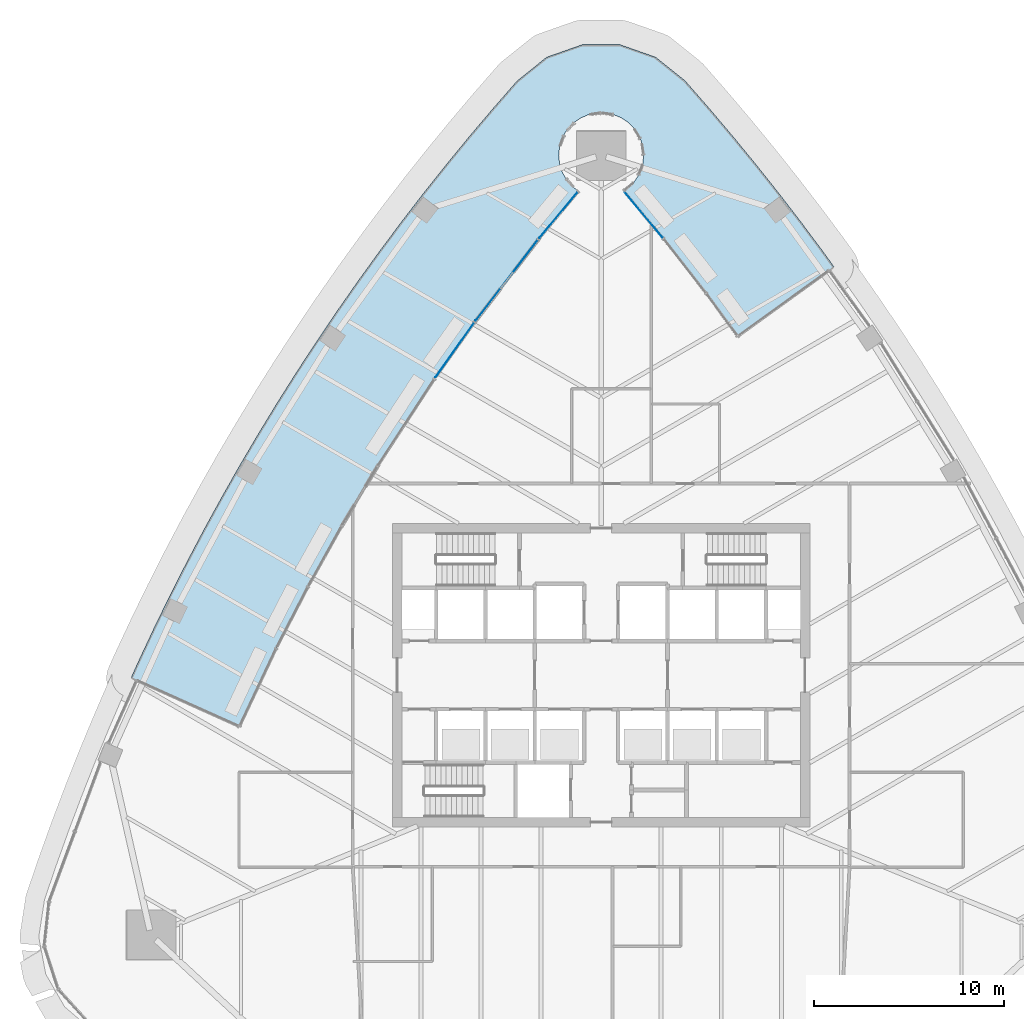
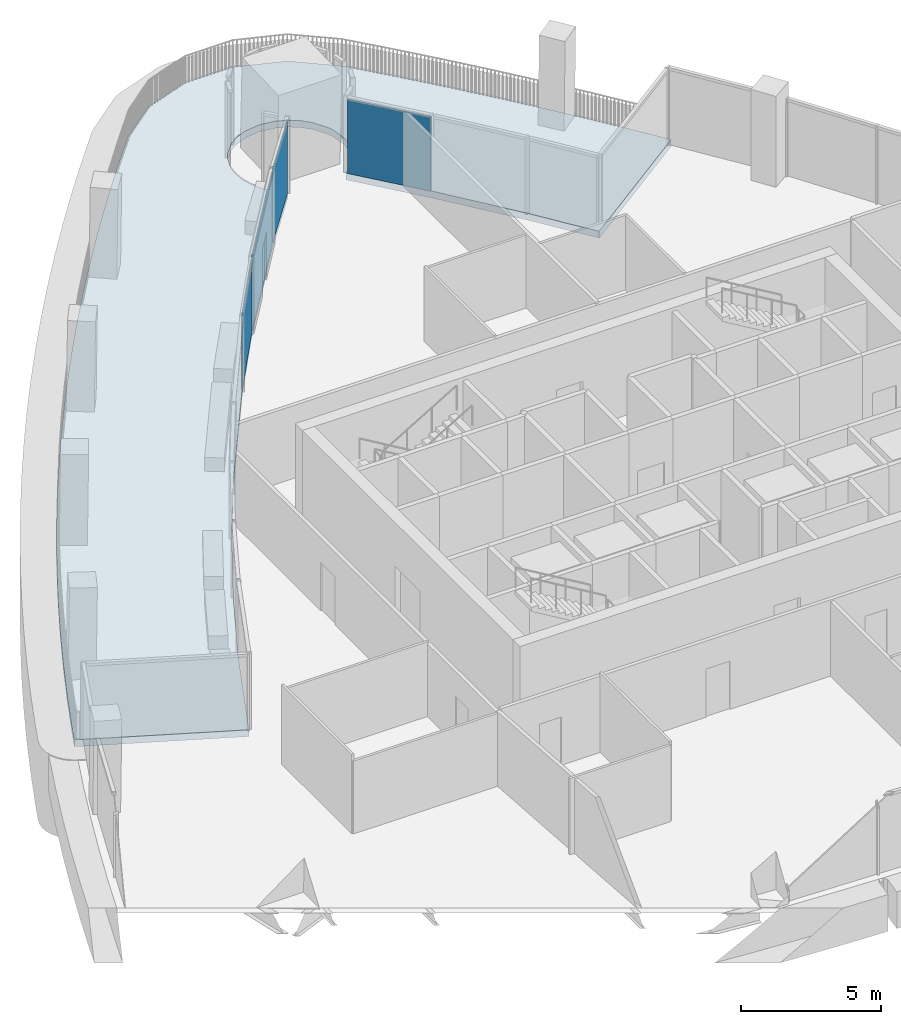
# One storey, part 9 of 19: 4 plates, 1 slab, 4 elements without a shape of their own.
"""IFC4 building model written with IfcOpenShell, lengths in metres."""

import ifcopenshell
import ifcopenshell.guid

model = None  # the IFC model being written
_history = None  # IfcOwnerHistory: only IFC2X3 demands one
_inside = {}  # id of a spatial element -> (the spatial element, [elements in it])
_under = {}  # id of a project, library or spatial element -> (it, [spatial elements below it])
_declared = {}  # id of a project -> (the project, [libraries it declares])
_typed = {}  # id of a type object -> (the type object, [elements of that type])
_made_of = {}  # id of a material, layer set ... -> (it, [elements and type objects made of it])


def new_model(schema):
    """Start an empty IFC model of exactly this schema.

    Asked for "IFC4X3", IfcOpenShell would pick the latest addendum, in which some entities
    have other attributes; the version numbers below select the first issue.
    IFC2X3 requires an IfcOwnerHistory on every rooted entity: one is made here for all.
    """
    global model, _history
    if schema == "IFC4X3":
        model = ifcopenshell.file(schema_version=(4, 3, 0, 0))
    else:
        model = ifcopenshell.file(schema=schema)
    _inside.clear()
    _under.clear()
    _declared.clear()
    _typed.clear()
    _made_of.clear()
    _history = None
    if model.schema == "IFC2X3":
        org = make("IfcOrganization", Name="unknown")
        user = make(
            "IfcPersonAndOrganization",
            ThePerson=make("IfcPerson", FamilyName="unknown"),
            TheOrganization=org,
        )
        app = make(
            "IfcApplication",
            ApplicationDeveloper=org,
            Version="unknown",
            ApplicationFullName="unknown",
            ApplicationIdentifier="unknown",
        )
        _history = make(
            "IfcOwnerHistory",
            OwningUser=user,
            OwningApplication=app,
            ChangeAction="ADDED",
            CreationDate=0,
        )
    return model


def make(cls, **values):
    """One entity of the class cls with the attributes given. An attribute that is None is left unset."""
    return model.create_entity(
        cls, **{name: value for name, value in values.items() if value is not None}
    )


def rooted(cls, **values):
    """An entity with a GlobalId (a new one), such as an element, a storey or a relation."""
    return make(cls, GlobalId=ifcopenshell.guid.new(), OwnerHistory=_history, **values)


def si_unit(unit_type, name, prefix=None):
    """IfcSIUnit, for example si_unit("LENGTHUNIT", "METRE", prefix="MILLI")."""
    return make("IfcSIUnit", UnitType=unit_type, Prefix=prefix, Name=name)


def assignment(units):
    """IfcUnitAssignment: the units of a project."""
    return None if units is None else make("IfcUnitAssignment", Units=units)


def point(xyz):
    """IfcCartesianPoint."""
    return None if xyz is None else make("IfcCartesianPoint", Coordinates=xyz)


def direction(xyz):
    """IfcDirection."""
    return None if xyz is None else make("IfcDirection", DirectionRatios=xyz)


def frame(location, z_axis=None, x_axis=None):
    """IfcAxis2Placement3D, a coordinate frame: its origin and axes. An axis left out is left unset."""
    return make(
        "IfcAxis2Placement3D",
        Location=point(location),
        Axis=direction(z_axis),
        RefDirection=direction(x_axis),
    )


def frame_2d(location, x_axis=None):
    """IfcAxis2Placement2D, a coordinate frame in the plane: its origin and x axis."""
    return make(
        "IfcAxis2Placement2D", Location=point(location), RefDirection=direction(x_axis)
    )


def origin():
    """The frame at (0, 0, 0) with its axes left unset."""
    return frame((0.0, 0.0, 0.0))


def origin_2d():
    """The frame at (0, 0) in the plane with its x axis left unset."""
    return frame_2d((0.0, 0.0))


def place(relative_to, where):
    """IfcLocalPlacement: puts the frame where relative to a parent placement (None: the world)."""
    return make(
        "IfcLocalPlacement", PlacementRelTo=relative_to, RelativePlacement=where
    )


def context(
    kind, dimensions, precision=None, world=None, true_north=None, identifier=None
):
    """IfcGeometricRepresentationContext, for example the 3D "Model" context."""
    return make(
        "IfcGeometricRepresentationContext",
        ContextIdentifier=identifier,
        ContextType=kind,
        CoordinateSpaceDimension=dimensions,
        Precision=precision,
        WorldCoordinateSystem=world,
        TrueNorth=true_north,
    )


def subcontext(parent, identifier, kind, view, scale=None):
    """IfcGeometricRepresentationSubContext, for example "Body" below "Model"."""
    return make(
        "IfcGeometricRepresentationSubContext",
        ContextIdentifier=identifier,
        ContextType=kind,
        ParentContext=parent,
        TargetScale=scale,
        TargetView=view,
    )


def project(units=None, contexts=None):
    """IfcProject with its units and contexts."""
    return rooted(
        "IfcProject",
        Name="project",
        RepresentationContexts=contexts,
        UnitsInContext=assignment(units),
    )


def spatial(cls, under=None, at=None, **own):
    """A site, building, storey or space (cls), placed at a placement, below another one or the project."""
    s = rooted(cls, ObjectPlacement=at, **own)
    if under is not None:
        _under.setdefault(under.id(), (under, []))[1].append(s)
    return s


def polyline(points):
    """IfcPolyline through the points."""
    return make("IfcPolyline", Points=[point(p) for p in points])


def profile(cls, at=None, kind="AREA", **sizes):
    """A parametric profile (cls). Its sizes go by their IFC names, for example OverallWidth=200.0."""
    return make(cls, ProfileType=kind, Position=at, **sizes)


def rectangle(**sizes):
    """IfcRectangleProfileDef."""
    return profile("IfcRectangleProfileDef", **sizes)


def outline(outer, holes=None, kind="AREA"):
    """IfcArbitraryClosedProfileDef: a profile drawn as a closed curve; with holes, ...WithVoids."""
    if holes is None:
        return make("IfcArbitraryClosedProfileDef", ProfileType=kind, OuterCurve=outer)
    return make(
        "IfcArbitraryProfileDefWithVoids",
        ProfileType=kind,
        OuterCurve=outer,
        InnerCurves=holes,
    )


def extrude(swept, where, along, depth):
    """IfcExtrudedAreaSolid: the profile swept, set in the frame where, extruded along a direction by depth."""
    return make(
        "IfcExtrudedAreaSolid",
        SweptArea=swept,
        Position=where,
        ExtrudedDirection=direction(along),
        Depth=depth,
    )


def shape(context_of_items, identifier, shape_type, items):
    """IfcShapeRepresentation: the items that make up one representation, for example the "Body"."""
    return make(
        "IfcShapeRepresentation",
        ContextOfItems=context_of_items,
        RepresentationIdentifier=identifier,
        RepresentationType=shape_type,
        Items=items,
    )


def material(Name=None, Category=None):
    """IfcMaterial."""
    return make("IfcMaterial", Name=Name, Category=Category)


def layer(
    of_material, thickness, ventilated=None, Name=None, Category=None, Priority=None
):
    """IfcMaterialLayer: one layer of a wall or slab, of a material (None: an air gap)."""
    return make(
        "IfcMaterialLayer",
        Material=of_material,
        LayerThickness=thickness,
        IsVentilated=ventilated,
        Name=Name,
        Category=Category,
        Priority=Priority,
    )


def layer_set(layers, Name=None):
    """IfcMaterialLayerSet."""
    return make("IfcMaterialLayerSet", MaterialLayers=layers, LayerSetName=Name)


def made_of(thing, what):
    """Note that an element or type object is made of a material, layer set ...; save() writes the relation."""
    if what is not None:
        _made_of.setdefault(what.id(), (what, []))[1].append(thing)
    return thing


def type_object(cls, material=None, **own):
    """A type object (cls), such as IfcWallType, which elements share."""
    return made_of(rooted(cls, **own), material)


def element(
    cls,
    number,
    at=None,
    inside=None,
    cuts=None,
    type_object=None,
    material=None,
    context=None,
    identifier="Body",
    shape_type=None,
    held_by="IfcProductDefinitionShape",
    body=None,
    shapes=None,
    **own,
):
    """One element of the class cls, such as IfcWall. Its Tag is "e" and its number.

    at: its placement. inside: the storey or other place that contains it. cuts: it is an
    opening in that element (IfcRelVoidsElement). A single representation is given by context,
    identifier, shape_type and body (its items); several are given by shapes. held_by: the class
    of the entity that holds the representations. save() writes the other relations.
    """
    e = rooted(cls, Tag="e%d" % number, ObjectPlacement=at, **own)
    if body is not None:
        shapes = [shape(context, identifier, shape_type, body)]
    if shapes is not None:
        e.Representation = make(held_by, Representations=shapes)
    if inside is not None:
        _inside.setdefault(inside.id(), (inside, []))[1].append(e)
    if cuts is not None:
        rooted(
            "IfcRelVoidsElement", RelatingBuildingElement=cuts, RelatedOpeningElement=e
        )
    if type_object is not None:
        _typed.setdefault(type_object.id(), (type_object, []))[1].append(e)
    return made_of(e, material)


def aggregate(whole, parts):
    """IfcRelAggregates: a whole, such as a stair, and the parts it consists of."""
    return rooted("IfcRelAggregates", RelatingObject=whole, RelatedObjects=parts)


def save(model, path):
    """Write the relations noted so far, then the file.

    IfcRelAggregates (storeys below a building ...), IfcRelContainedInSpatialStructure (elements
    in a storey), IfcRelDefinesByType, IfcRelAssociatesMaterial and IfcRelDeclares: one each for
    every whole, place, type object, material and project.
    """
    for whole, parts in _under.values():
        aggregate(whole, parts)
    for where, things in _inside.values():
        rooted(
            "IfcRelContainedInSpatialStructure",
            RelatedElements=things,
            RelatingStructure=where,
        )
    for kind, things in _typed.values():
        rooted("IfcRelDefinesByType", RelatedObjects=things, RelatingType=kind)
    for what, things in _made_of.values():
        rooted("IfcRelAssociatesMaterial", RelatedObjects=things, RelatingMaterial=what)
    for by, libraries in _declared.values():
        rooted("IfcRelDeclares", RelatingContext=by, RelatedDefinitions=libraries)
    model.write(path)


model = new_model("IFC4")

# Units and contexts
model_context = context("Model", 3, precision=1e-05, world=origin(), true_north=direction((0.0, 1.0)))
body_context = subcontext(model_context, "Body", "Model", "MODEL_VIEW")
ifc_project = project(units=[si_unit("LENGTHUNIT", "METRE"), si_unit("AREAUNIT", "SQUARE_METRE"), si_unit("VOLUMEUNIT", "CUBIC_METRE"), si_unit("PLANEANGLEUNIT", "RADIAN"), si_unit("MASSUNIT", "GRAM", prefix="KILO")], contexts=[model_context])

# Site, building, storey
site_placement = place(None, origin())
site = spatial("IfcSite", under=ifc_project, at=site_placement, CompositionType="ELEMENT")
building_placement = place(site_placement, origin())
building = spatial("IfcBuilding", under=site, at=building_placement, Name="Sierra Prisma Convention Tower", CompositionType="ELEMENT")
storey_placement = place(building_placement, frame((0.0, 0.0, 173.800048828125)))
storey = spatial("IfcBuildingStorey", under=building, at=storey_placement, Name="L38", CompositionType="ELEMENT", Elevation=173.800048828125)

# Curtain wall, plate
ifc_material_1 = material(Name="Aluminium and glass curtain wall", Category="aluminium")
ifc_layer_1 = layer(ifc_material_1, 0.179931640625)
ifc_layer_set_1 = layer_set([ifc_layer_1], Name="CW-6 Terrace recess curtain wall")
curtain_wall_type = type_object("IfcCurtainWallType", Name="CW-6 Terrace recess curtain wall", PredefinedType="NOTDEFINED", material=ifc_layer_set_1)
curtain_wall_1_placement = place(storey_placement, origin())
curtain_wall_1 = element("IfcCurtainWall", 1, at=curtain_wall_1_placement, inside=storey, type_object=curtain_wall_type, Name="CW-6 R3 L38", PredefinedType="NOTDEFINED")
ifc_material_2 = material(Name="Tinted glass bronze-grey IGU", Category="glass")
ifc_layer_2 = layer(ifc_material_2, 0.028076171875)
ifc_layer_set_2 = layer_set([ifc_layer_2], Name="CW-6 glass panel")
plate_type = type_object("IfcPlateType", Name="CW-6 glass panel", PredefinedType="CURTAIN_PANEL", material=ifc_layer_set_2)
plate_1_placement = place(storey_placement, frame((2.250732421875, 24.265869140625, 0.0), z_axis=(0.0, 0.0, 1.0), x_axis=(-0.639650665136, 0.768665744385, 0.0)))
plate_1 = element("IfcPlate", 2, at=plate_1_placement, type_object=plate_type, Name="CW-6 panel R3.1", PredefinedType="CURTAIN_PANEL", context=body_context, shape_type="SweptSolid", body=[
    extrude(rectangle(XDim=3.154296875, YDim=0.028076171875, at=origin_2d()), origin(), (0.0, 0.0, 1.0), 3.219970703125),
])
aggregate(curtain_wall_1, [plate_1])

curtain_wall_2_placement = place(storey_placement, origin())
curtain_wall_2 = element("IfcCurtainWall", 3, at=curtain_wall_2_placement, inside=storey, type_object=curtain_wall_type, Name="CW-6 R27 L38", PredefinedType="NOTDEFINED")
plate_2_placement = place(storey_placement, frame((-2.250732421875, 24.265869140625, 0.0), z_axis=(0.0, 0.0, 1.0), x_axis=(-0.639650665136, -0.768665744385, 0.0)))
plate_2 = element("IfcPlate", 4, at=plate_2_placement, type_object=plate_type, Name="CW-6 panel R27.1", PredefinedType="CURTAIN_PANEL", context=body_context, shape_type="SweptSolid", body=[
    extrude(rectangle(XDim=3.154296875, YDim=0.028076171875, at=origin_2d()), origin(), (0.0, 0.0, 1.0), 3.219970703125),
])
aggregate(curtain_wall_2, [plate_2])

curtain_wall_3_placement = place(storey_placement, origin())
curtain_wall_3 = element("IfcCurtainWall", 5, at=curtain_wall_3_placement, inside=storey, type_object=curtain_wall_type, Name="CW-6 R28 L38", PredefinedType="NOTDEFINED")
plate_3_placement = place(storey_placement, frame((-4.982177734375, 20.81982421875, 0.0), z_axis=(0.0, 0.0, 1.0), x_axis=(-0.60994308925, -0.792445220741, 0.0)))
plate_3 = element("IfcPlate", 6, at=plate_3_placement, type_object=plate_type, Name="CW-6 panel R28.1", PredefinedType="CURTAIN_PANEL", context=body_context, shape_type="SweptSolid", body=[
    extrude(rectangle(XDim=5.361572265625, YDim=0.028076171875, at=origin_2d()), origin(), (0.0, 0.0, 1.0), 3.219970703125),
])
aggregate(curtain_wall_3, [plate_3])

curtain_wall_4_placement = place(storey_placement, origin())
curtain_wall_4 = element("IfcCurtainWall", 7, at=curtain_wall_4_placement, inside=storey, type_object=curtain_wall_type, Name="CW-6 R29 L38", PredefinedType="NOTDEFINED")
plate_4_placement = place(storey_placement, frame((-7.72119140625, 17.144287109375, 0.0), z_axis=(0.0, 0.0, 1.0), x_axis=(-0.578632133108, -0.815588655227, 0.0)))
plate_4 = element("IfcPlate", 8, at=plate_4_placement, type_object=plate_type, Name="CW-6 panel R29.1", PredefinedType="CURTAIN_PANEL", context=body_context, shape_type="SweptSolid", body=[
    extrude(rectangle(XDim=3.52783203125, YDim=0.028076171875, at=origin_2d()), origin(), (0.0, 0.0, 1.0), 3.219970703125),
])
aggregate(curtain_wall_4, [plate_4])

# Slab
ifc_material_3 = material(Name="Concrete C50/60", Category="concrete")
ifc_layer_3 = layer(ifc_material_3, 0.300048828125)
ifc_layer_set_3 = layer_set([ifc_layer_3], Name="Terrace slab")
slab_type = type_object("IfcSlabType", Name="Terrace slab", PredefinedType="FLOOR", material=ifc_layer_set_3)
slab_placement = place(storey_placement, frame((0.0, 0.0, -0.300048828125)))
element("IfcSlab", 9, at=slab_placement, inside=storey, type_object=slab_type, Name="Terrace slab L38", PredefinedType="FLOOR", context=body_context, shape_type="SweptSolid", body=[
    extrude(outline(polyline([(12.278076171875, 21.534912109375), (11.70068359375, 22.33544921875), (10.546630859375, 23.88427734375), (9.36865234375, 25.414794921875), (8.1669921875, 26.926513671875), (6.94189453125, 28.419677734375), (5.693603515625, 29.8935546875), (4.422607421875, 31.34765625), (2.870849609375, 32.591796875), (0.994384765625, 33.2509765625), (-0.994384765625, 33.2509765625), (-2.870849609375, 32.591796875), (-4.422607421875, 31.34765625), (-5.693603515625, 29.8935546875), (-6.94189453125, 28.419677734375), (-8.1669921875, 26.926513671875), (-9.36865234375, 25.414794921875), (-10.546630859375, 23.88427734375), (-11.70068359375, 22.33544921875), (-12.83056640625, 20.76904296875), (-13.935791015625, 19.185302734375), (-15.01611328125, 17.58447265625), (-16.071533203125, 15.966796875), (-17.1015625, 14.333251953125), (-18.10595703125, 12.68359375), (-19.084716796875, 11.0185546875), (-20.037353515625, 9.338623046875), (-20.963623046875, 7.643798828125), (-21.863525390625, 5.934814453125), (-22.736572265625, 4.212158203125), (-23.582763671875, 2.47607421875), (-24.40185546875, 0.72705078125), (-24.78857421875, -0.133544921875), (-19.081298828125, -2.6982421875), (-17.1396484375, 1.43017578125), (-15.4560546875, 4.688720703125), (-13.671875, 7.8935546875), (-11.788818359375, 11.041015625), (-8.782470703125, 15.6484375), (-6.66015625, 18.64013671875), (-3.304443359375, 22.999755859375), (-1.197265625, 25.531982421875), (-1.420166015625, 25.6904296875), (-1.861328125, 26.17724609375), (-2.068115234375, 26.564208984375), (-2.195556640625, 26.984130859375), (-2.238525390625, 27.4208984375), (-2.195556640625, 27.857666015625), (-1.97412109375, 28.47607421875), (-1.861328125, 28.66455078125), (-1.420166015625, 29.1513671875), (-1.05517578125, 29.39501953125), (-0.64990234375, 29.56298828125), (0.0, 29.659423828125), (0.64990234375, 29.56298828125), (1.05517578125, 29.39501953125), (1.420166015625, 29.1513671875), (1.73046875, 28.841064453125), (2.068115234375, 28.277587890625), (2.14208984375, 28.07080078125), (2.238525390625, 27.4208984375), (2.195556640625, 26.984130859375), (1.97412109375, 26.36572265625), (1.73046875, 26.000732421875), (1.197265625, 25.531982421875), (3.304443359375, 22.999755859375), (5.564208984375, 20.110595703125), (7.203125, 17.874755859375), (12.278076171875, 21.534912109375)])), origin(), (0.0, 0.0, 1.0), 0.300048828125),
])

save(model, "model.ifc")
